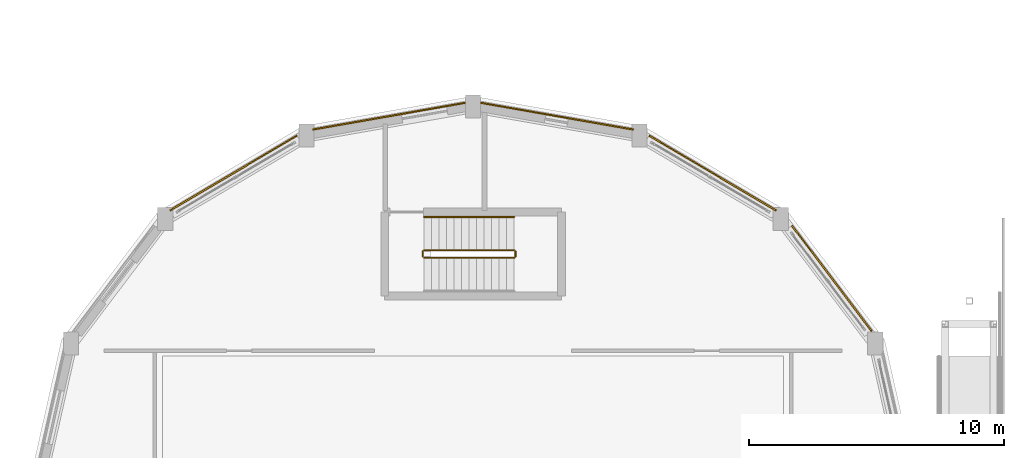
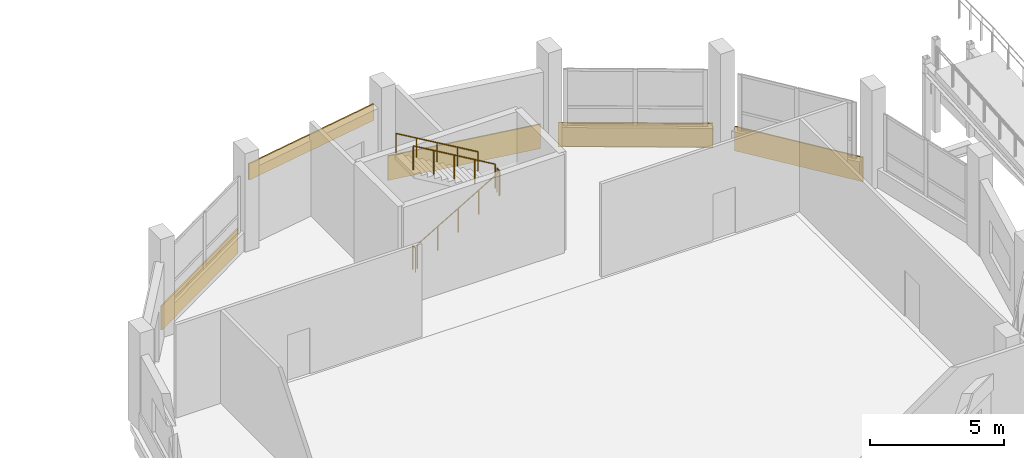
# One storey, part 129 of 129: 5 coverings, 5 railings.
"""IFC4 building model written with IfcOpenShell, lengths in metres."""

from ifc_helpers import new_model, si_unit, direction, frame, frame_2d, origin, origin_2d, place, context, subcontext, project, spatial, rectangle, circle, extrude, material, layer, layer_set, type_object, element, save


model = new_model("IFC4")

# Units and contexts
model_context = context("Model", 3, precision=1e-05, world=origin(), true_north=direction((0.0, 1.0)))
body_context = subcontext(model_context, "Body", "Model", "MODEL_VIEW")
ifc_project = project(units=[si_unit("LENGTHUNIT", "METRE"), si_unit("AREAUNIT", "SQUARE_METRE"), si_unit("VOLUMEUNIT", "CUBIC_METRE"), si_unit("PLANEANGLEUNIT", "RADIAN"), si_unit("MASSUNIT", "GRAM", prefix="KILO")], contexts=[model_context])

# Site, building, storey
site_placement = place(None, origin())
site = spatial("IfcSite", under=ifc_project, at=site_placement, CompositionType="ELEMENT")
building_placement = place(site_placement, origin())
building = spatial("IfcBuilding", under=site, at=building_placement, Name="Vespera Passage Community Centre", CompositionType="ELEMENT")
storey_placement = place(building_placement, origin())
storey = spatial("IfcBuildingStorey", under=building, at=storey_placement, Name="L00", CompositionType="ELEMENT", Elevation=0.0)

# Coverings
ifc_material_1 = material(Name="Precast concrete f'c 40 MPa", Category="concrete")
ifc_layer = layer(ifc_material_1, 0.06005859375)
ifc_layer_set = layer_set([ifc_layer], Name="Precast concrete f'c 40 MPa")
covering_type = type_object("IfcCoveringType", Name="COV-CLAD-60E", PredefinedType="CLADDING", material=ifc_layer_set)
covering_1_placement = place(storey_placement, frame((155.52783203125, 99.915283203125, -0.260009765625), z_axis=(0.0, 0.0, 1.0), x_axis=(0.603398282319, -0.797439974477, 0.0)))
element("IfcCovering", 1, at=covering_1_placement, inside=storey, type_object=covering_type, Name="V2 L00 White Spandrel Band 2", PredefinedType="CLADDING", context=body_context, shape_type="SweptSolid", body=[
    extrude(rectangle(XDim=5.19873046875, YDim=0.06005859375, at=frame_2d((2.599365234375, 0.0))), origin(), (0.0, 0.0, 1.0), 1.110107421875),
])
covering_2_placement = place(storey_placement, frame((149.9189453125, 103.449951171875, -0.260009765625), z_axis=(0.0, 0.0, 1.0), x_axis=(0.861246761334, -0.508186989297, 0.0)))
element("IfcCovering", 2, at=covering_2_placement, inside=storey, type_object=covering_type, Name="V2 L00 White Spandrel Band 3", PredefinedType="CLADDING", context=body_context, shape_type="SweptSolid", body=[
    extrude(rectangle(XDim=5.794677734375, YDim=0.06005859375, at=frame_2d((2.8974609375, 0.0))), origin(), (0.0, 0.0, 1.0), 1.110107421875),
])
covering_3_placement = place(storey_placement, frame((143.308349609375, 104.73876953125, -0.260009765625), z_axis=(0.0, 0.0, 1.0), x_axis=(0.984920582468, -0.173007069888, 0.0)))
element("IfcCovering", 3, at=covering_3_placement, inside=storey, type_object=covering_type, Name="V2 L00 White Sill Band 4", PredefinedType="CLADDING", context=body_context, shape_type="SweptSolid", body=[
    extrude(rectangle(XDim=6.0849609375, YDim=0.06005859375, at=frame_2d((3.04248046875, 0.0))), origin(), (0.0, 0.0, 1.0), 1.110107421875),
])
covering_4_placement = place(storey_placement, frame((136.698486328125, 103.68603515625, 2.699951171875), z_axis=(0.0, 0.0, 1.0), x_axis=(0.984920582468, 0.173007069888, 0.0)))
element("IfcCovering", 4, at=covering_4_placement, inside=storey, type_object=covering_type, Name="V2 L00 Exit White Fascia 5", PredefinedType="CLADDING", context=body_context, shape_type="SweptSolid", body=[
    extrude(rectangle(XDim=6.0849609375, YDim=0.06005859375, at=frame_2d((3.04248046875, 0.0))), origin(), (0.0, 0.0, 1.0), 0.7451171875),
])
covering_5_placement = place(storey_placement, frame((131.09033203125, 100.505126953125, -0.260009765625), z_axis=(0.0, 0.0, 1.0), x_axis=(0.861246761334, 0.508186989297, 0.0)))
element("IfcCovering", 5, at=covering_5_placement, inside=storey, type_object=covering_type, Name="V2 L00 White Spandrel Band 6", PredefinedType="CLADDING", context=body_context, shape_type="SweptSolid", body=[
    extrude(rectangle(XDim=5.794677734375, YDim=0.06005859375, at=frame_2d((2.8974609375, 0.0))), origin(), (0.0, 0.0, 1.0), 1.110107421875),
])

# Railings
ifc_material_2 = material(Name="Steel ASTM A500 Grade C", Category="steel")
railing_type_1 = type_object("IfcRailingType", Name="RL-HAND-900I", PredefinedType="HANDRAIL", material=ifc_material_2)
railing_1_placement = place(storey_placement, frame((144.614990234375, 100.25, 2.423095703125)))
element("IfcRailing", 6, at=railing_1_placement, inside=storey, type_object=railing_type_1, Name="L00 ST07 stair handrail 2", PredefinedType="HANDRAIL", context=body_context, shape_type="SweptSolid", body=[
    extrude(circle(Radius=0.02392578125, at=origin_2d()), frame((0.0, 0.0, 0.8759765625), z_axis=(-0.862516251723, 0.0, 0.506029362304), x_axis=(0.0, -1.0, 0.0)), (0.0, 0.0, 1.0), 4.104248046875),
    extrude(circle(Radius=0.02099609375, at=origin_2d()), origin(), (0.0, 0.0, 1.0), 0.851806640625),
    extrude(circle(Radius=0.02099609375, at=origin_2d()), frame((-0.885009765625, 0.0, 0.519287109375)), (0.0, 0.0, 1.0), 0.851806640625),
    extrude(circle(Radius=0.02099609375, at=origin_2d()), frame((-1.77001953125, 0.0, 1.03857421875)), (0.0, 0.0, 1.0), 0.851806640625),
    extrude(circle(Radius=0.02099609375, at=origin_2d()), frame((-2.655029296875, 0.0, 1.5576171875)), (0.0, 0.0, 1.0), 0.851806640625),
    extrude(circle(Radius=0.02099609375, at=origin_2d()), frame((-3.5400390625, 0.0, 2.076904296875)), (0.0, 0.0, 1.0), 0.851806640625),
])
ifc_material_3 = material(Name="Steel ASTM A500 Grade C", Category="steel")
railing_type_2 = type_object("IfcRailingType", Name="RL-STAIR-1100I", PredefinedType="GUARDRAIL", material=ifc_material_3)
railing_2_placement = place(storey_placement, frame((141.074951171875, 98.64990234375, 0.173095703125)))
element("IfcRailing", 7, at=railing_2_placement, inside=storey, type_object=railing_type_2, Name="L00 ST07 stair guard 1", PredefinedType="GUARDRAIL", context=body_context, shape_type="SweptSolid", body=[
    extrude(circle(Radius=0.02392578125, at=origin_2d()), frame((0.0, 0.0, 1.09619140625), z_axis=(0.862516251723, 0.0, 0.506029362304), x_axis=(0.0, 1.0, 0.0)), (0.0, 0.0, 1.0), 4.104248046875),
    extrude(circle(Radius=0.02099609375, at=origin_2d()), origin(), (0.0, 0.0, 1.0), 1.072021484375),
    extrude(circle(Radius=0.02099609375, at=origin_2d()), frame((0.885009765625, 0.0, 0.519287109375)), (0.0, 0.0, 1.0), 1.072021484375),
    extrude(circle(Radius=0.02099609375, at=origin_2d()), frame((1.77001953125, 0.0, 1.03857421875)), (0.0, 0.0, 1.0), 1.072021484375),
    extrude(circle(Radius=0.02099609375, at=origin_2d()), frame((2.655029296875, 0.0, 1.5576171875)), (0.0, 0.0, 1.0), 1.072021484375),
    extrude(circle(Radius=0.02099609375, at=origin_2d()), frame((3.5400390625, 0.0, 2.076904296875)), (0.0, 0.0, 1.0), 1.072021484375),
])
railing_3_placement = place(storey_placement, frame((144.6650390625, 98.699951171875, 2.25)))
element("IfcRailing", 8, at=railing_3_placement, inside=storey, type_object=railing_type_2, Name="L00 ST07 stair guard 2", PredefinedType="GUARDRAIL", context=body_context, shape_type="SweptSolid", body=[
    extrude(circle(Radius=0.02392578125, at=origin_2d()), frame((0.0, 0.0, 1.09619140625), z_axis=(0.0, 1.0, 0.0), x_axis=(-1.0, 0.0, 0.0)), (0.0, 0.0, 1.0), 0.199951171875),
    extrude(circle(Radius=0.02099609375, at=origin_2d()), origin(), (0.0, 0.0, 1.0), 1.072021484375),
    extrude(circle(Radius=0.02099609375, at=origin_2d()), frame((0.0, 0.199951171875, 0.0)), (0.0, 0.0, 1.0), 1.072021484375),
])
railing_4_placement = place(storey_placement, frame((144.614990234375, 98.949951171875, 2.423095703125)))
element("IfcRailing", 9, at=railing_4_placement, inside=storey, type_object=railing_type_2, Name="L00 ST07 stair guard 3", PredefinedType="GUARDRAIL", context=body_context, shape_type="SweptSolid", body=[
    extrude(circle(Radius=0.02392578125, at=origin_2d()), frame((0.0, 0.0, 1.09619140625), z_axis=(-0.862516251723, 0.0, 0.506029362304), x_axis=(0.0, -1.0, 0.0)), (0.0, 0.0, 1.0), 4.104248046875),
    extrude(circle(Radius=0.02099609375, at=origin_2d()), origin(), (0.0, 0.0, 1.0), 1.072021484375),
    extrude(circle(Radius=0.02099609375, at=origin_2d()), frame((-0.885009765625, 0.0, 0.519287109375)), (0.0, 0.0, 1.0), 1.072021484375),
    extrude(circle(Radius=0.02099609375, at=origin_2d()), frame((-1.77001953125, 0.0, 1.03857421875)), (0.0, 0.0, 1.0), 1.072021484375),
    extrude(circle(Radius=0.02099609375, at=origin_2d()), frame((-2.655029296875, 0.0, 1.5576171875)), (0.0, 0.0, 1.0), 1.072021484375),
    extrude(circle(Radius=0.02099609375, at=origin_2d()), frame((-3.5400390625, 0.0, 2.076904296875)), (0.0, 0.0, 1.0), 1.072021484375),
])
railing_5_placement = place(storey_placement, frame((141.02490234375, 98.699951171875, 0.0)))
element("IfcRailing", 10, at=railing_5_placement, inside=storey, type_object=railing_type_2, Name="L00 ST07 stair guard 4", PredefinedType="GUARDRAIL", context=body_context, shape_type="SweptSolid", body=[
    extrude(circle(Radius=0.02392578125, at=origin_2d()), frame((0.0, 0.0, 1.09619140625), z_axis=(0.0, 1.0, 0.0), x_axis=(-1.0, 0.0, 0.0)), (0.0, 0.0, 1.0), 0.199951171875),
    extrude(circle(Radius=0.02099609375, at=origin_2d()), origin(), (0.0, 0.0, 1.0), 1.072021484375),
    extrude(circle(Radius=0.02099609375, at=origin_2d()), frame((0.0, 0.199951171875, 0.0)), (0.0, 0.0, 1.0), 1.072021484375),
])

save(model, "model.ifc")
